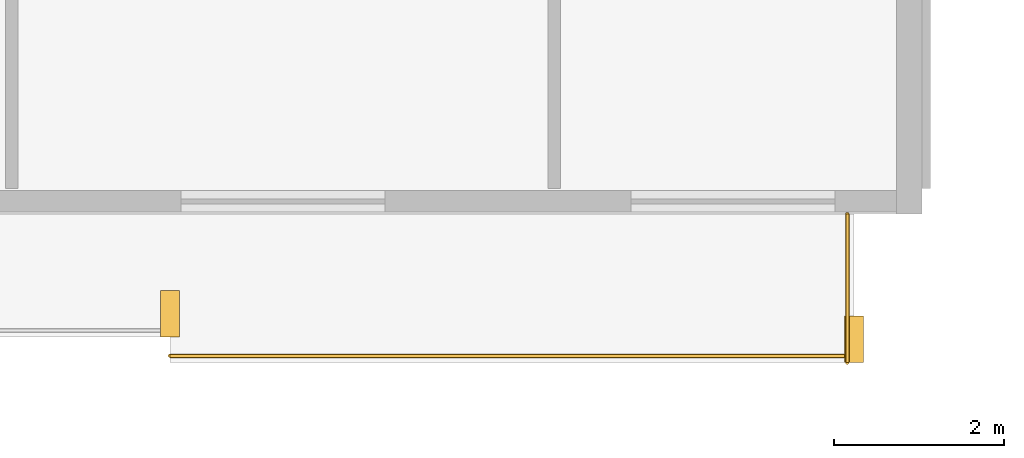
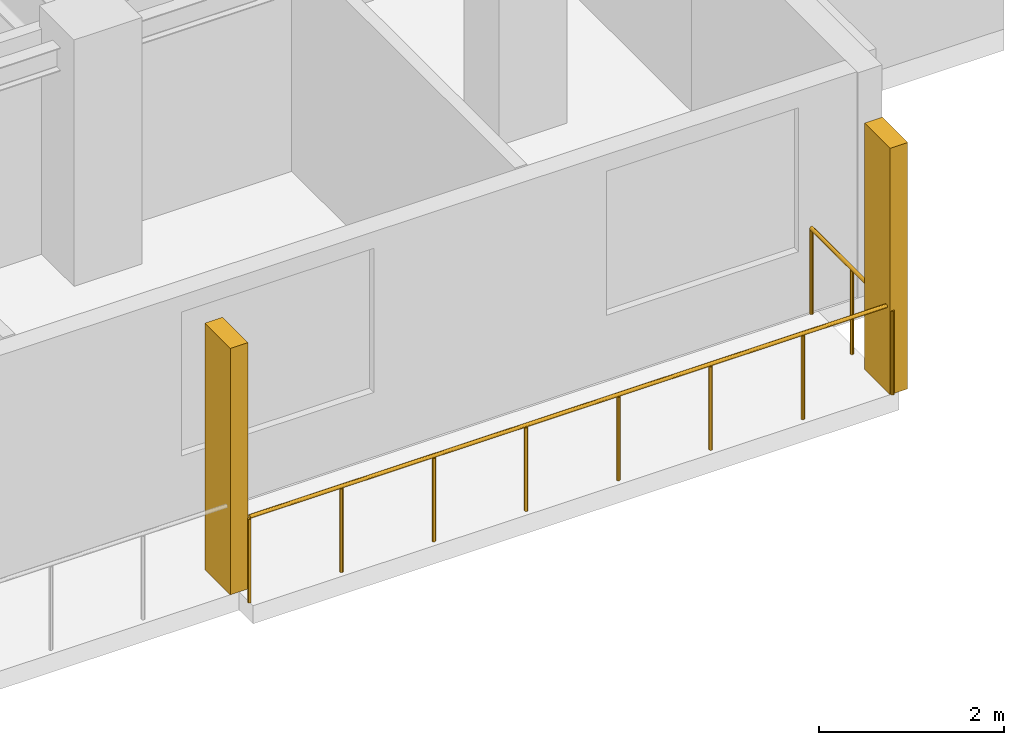
# One storey, part 19 of 21: 2 railings, 2 shading devices.
"""IFC4 building model written with IfcOpenShell, lengths in metres."""

from ifc_helpers import new_model, si_unit, direction, frame, origin, origin_2d, place, context, subcontext, project, spatial, rectangle, circle, extrude, material, type_object, element, save


model = new_model("IFC4")

# Units and contexts
model_context = context("Model", 3, precision=1e-05, world=origin(), true_north=direction((0.0, 1.0)))
body_context = subcontext(model_context, "Body", "Model", "MODEL_VIEW")
ifc_project = project(units=[si_unit("LENGTHUNIT", "METRE"), si_unit("AREAUNIT", "SQUARE_METRE"), si_unit("VOLUMEUNIT", "CUBIC_METRE"), si_unit("PLANEANGLEUNIT", "RADIAN"), si_unit("MASSUNIT", "GRAM", prefix="KILO")], contexts=[model_context])

# Site, building, storey
site_placement = place(None, origin())
site = spatial("IfcSite", under=ifc_project, at=site_placement, CompositionType="ELEMENT")
building_placement = place(site_placement, origin())
building = spatial("IfcBuilding", under=site, at=building_placement, Name="Korimba Cascade Residences", CompositionType="ELEMENT")
storey_placement = place(building_placement, frame((0.0, 0.0, 123.050048828125)))
storey = spatial("IfcBuildingStorey", under=building, at=storey_placement, Name="L35", CompositionType="ELEMENT", Elevation=123.050048828125)

# Railings
ifc_material_1 = material(Name="Laminated Glass and Bronze Balustrade", Category="glass")
railing_type = type_object("IfcRailingType", Name="RLG-LOG-1150", PredefinedType="BALUSTRADE", material=ifc_material_1)
railing_1_placement = place(storey_placement, frame((121.843017578125, -10.669921875, 0.0)))
element("IfcRailing", 1, at=railing_1_placement, inside=storey, type_object=railing_type, Name="L35 Perimeter Guardrail RLG-L35-T2-LOG-06", PredefinedType="BALUSTRADE", context=body_context, shape_type="SweptSolid", body=[
    extrude(circle(Radius=0.02392578125, at=origin_2d()), frame((0.0, 0.0, 1.1259765625), z_axis=(1.0, 0.0, 0.0), x_axis=(0.0, 1.0, 0.0)), (0.0, 0.0, 1.0), 8.056884765625),
    extrude(circle(Radius=0.02099609375, at=origin_2d()), origin(), (0.0, 0.0, 1.0), 1.101806640625),
    extrude(circle(Radius=0.02099609375, at=origin_2d()), frame((1.15087890625, 0.0, 0.0)), (0.0, 0.0, 1.0), 1.101806640625),
    extrude(circle(Radius=0.02099609375, at=origin_2d()), frame((2.302001953125, 0.0, 0.0)), (0.0, 0.0, 1.0), 1.101806640625),
    extrude(circle(Radius=0.02099609375, at=origin_2d()), frame((3.452880859375, 0.0, 0.0)), (0.0, 0.0, 1.0), 1.101806640625),
    extrude(circle(Radius=0.02099609375, at=origin_2d()), frame((4.60400390625, 0.0, 0.0)), (0.0, 0.0, 1.0), 1.101806640625),
    extrude(circle(Radius=0.02099609375, at=origin_2d()), frame((5.7548828125, 0.0, 0.0)), (0.0, 0.0, 1.0), 1.101806640625),
    extrude(circle(Radius=0.02099609375, at=origin_2d()), frame((6.906005859375, 0.0, 0.0)), (0.0, 0.0, 1.0), 1.101806640625),
    extrude(circle(Radius=0.02099609375, at=origin_2d()), frame((8.056884765625, 0.0, 0.0)), (0.0, 0.0, 1.0), 1.101806640625),
])
railing_2_placement = place(storey_placement, frame((129.820068359375, -10.75, 0.0)))
element("IfcRailing", 2, at=railing_2_placement, inside=storey, type_object=railing_type, Name="L35 Perimeter Guardrail RLG-L35-T2-LOG-07", PredefinedType="BALUSTRADE", context=body_context, shape_type="SweptSolid", body=[
    extrude(circle(Radius=0.02392578125, at=origin_2d()), frame((0.0, 0.0, 1.1259765625), z_axis=(0.0, 1.0, 0.0), x_axis=(-1.0, 0.0, 0.0)), (0.0, 0.0, 1.0), 1.75),
    extrude(circle(Radius=0.02099609375, at=origin_2d()), origin(), (0.0, 0.0, 1.0), 1.101806640625),
    extrude(circle(Radius=0.02099609375, at=origin_2d()), frame((0.0, 0.875, 0.0)), (0.0, 0.0, 1.0), 1.101806640625),
    extrude(circle(Radius=0.02099609375, at=origin_2d()), frame((0.0, 1.75, 0.0)), (0.0, 0.0, 1.0), 1.101806640625),
])

# Shading devices
ifc_material_2 = material(Name="Honed Sandstone Precast Fin", Category="masonry")
shading_device_type = type_object("IfcShadingDeviceType", Name="SHD-FIN-550", PredefinedType="USERDEFINED", material=ifc_material_2)
for number, where, z_axis, x_axis, name in (
    (3, (121.843017578125, -10.175048828125, 0.0), (0.0, 0.0, 1.0), (1.0, 0.0, 0.0), "L35 T2 Warm-Stone Loggia Fin 7"),
    (4, (129.89990234375, -10.47509765625, 0.0), (0.0, 0.0, 1.0), (1.0, 0.0, 0.0), "L35 T2 Warm-Stone Loggia Fin 8"),
):
    element("IfcShadingDevice", number, at=place(storey_placement, frame(where, z_axis=z_axis, x_axis=x_axis)), inside=storey, type_object=shading_device_type, Name=name, ObjectType="FIN", PredefinedType="USERDEFINED", context=body_context, shape_type="SweptSolid", body=[
        extrude(rectangle(XDim=0.219970703125, YDim=0.550048828125, at=origin_2d()), origin(), (0.0, 0.0, 1.0), 3.25),
    ])

save(model, "model.ifc")
